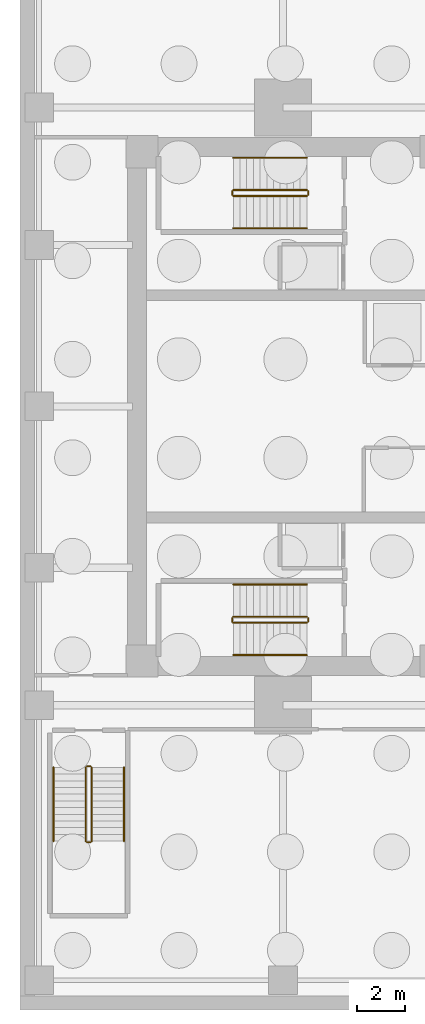
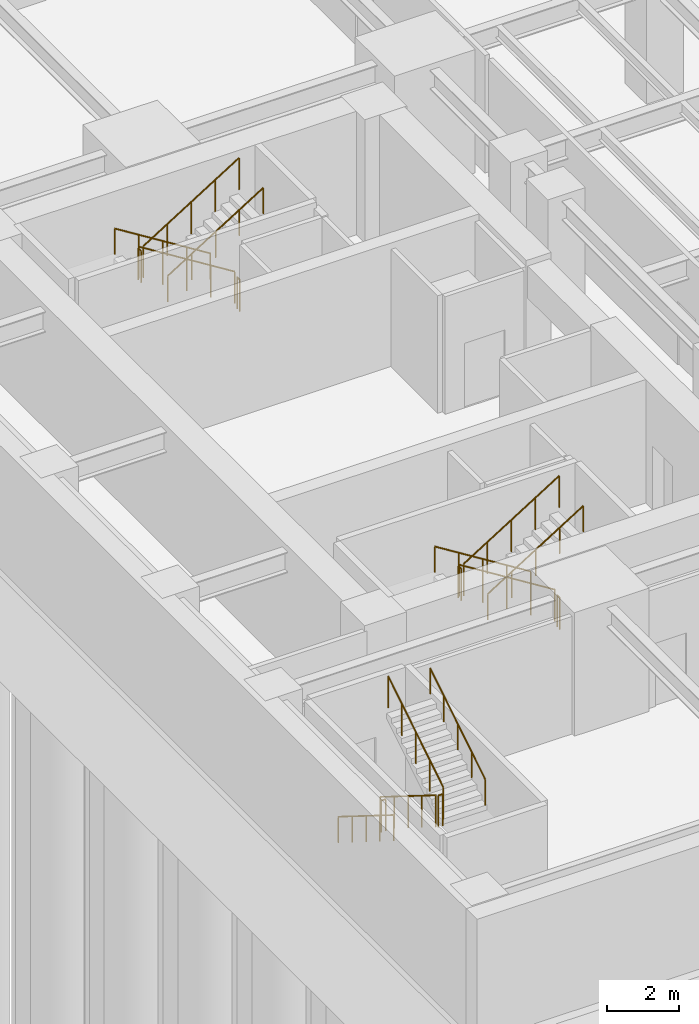
# One storey, part 5 of 6: 18 railings.
"""IFC4 building model written with IfcOpenShell, lengths in metres."""

from ifc_helpers import new_model, si_unit, direction, frame, origin, origin_2d, place, context, subcontext, project, spatial, circle, extrude, material, type_object, element, save


model = new_model("IFC4")

# Units and contexts
model_context = context("Model", 3, precision=1e-05, world=origin(), true_north=direction((0.0, 1.0)))
body_context = subcontext(model_context, "Body", "Model", "MODEL_VIEW")
ifc_project = project(units=[si_unit("LENGTHUNIT", "METRE"), si_unit("AREAUNIT", "SQUARE_METRE"), si_unit("VOLUMEUNIT", "CUBIC_METRE"), si_unit("PLANEANGLEUNIT", "RADIAN"), si_unit("MASSUNIT", "GRAM", prefix="KILO")], contexts=[model_context])

# Site, building, storey
site_placement = place(None, origin())
site = spatial("IfcSite", under=ifc_project, at=site_placement, CompositionType="ELEMENT")
building_placement = place(site_placement, origin())
building = spatial("IfcBuilding", under=site, at=building_placement, Name="Kinhvarn Gate Tower", CompositionType="ELEMENT")
storey_placement = place(building_placement, frame((0.0, 0.0, -13.199951171875)))
storey = spatial("IfcBuildingStorey", under=building, at=storey_placement, Name="B03", CompositionType="ELEMENT", Elevation=-13.199951171875)

# Railings
ifc_material = material(Name="Steel S355", Category="steel")
railing_type_1 = type_object("IfcRailingType", Name="RL-ST-GRD", PredefinedType="BALUSTRADE", material=ifc_material)
railing_1_placement = place(storey_placement, frame((12.0, 16.449951171875, 0.175048828125)))
element("IfcRailing", 1, at=railing_1_placement, inside=storey, type_object=railing_type_1, Name="B03 ST1 stair guard 1", PredefinedType="BALUSTRADE", context=body_context, shape_type="SweptSolid", body=[
    extrude(circle(Radius=0.02392578125, at=origin_2d()), frame((0.0, 0.0, 1.076171875), z_axis=(-0.848028513186, 0.0, 0.529950602248), x_axis=(0.0, -1.0, 0.0)), (0.0, 0.0, 1.0), 3.632080078125),
    extrude(circle(Radius=0.02099609375, at=origin_2d()), origin(), (0.0, 0.0, 1.0), 1.052001953125),
    extrude(circle(Radius=0.02099609375, at=origin_2d()), frame((-0.77001953125, 0.0, 0.481201171875)), (0.0, 0.0, 1.0), 1.052001953125),
    extrude(circle(Radius=0.02099609375, at=origin_2d()), frame((-1.5400390625, 0.0, 0.96240234375)), (0.0, 0.0, 1.0), 1.052001953125),
    extrude(circle(Radius=0.02099609375, at=origin_2d()), frame((-2.31005859375, 0.0, 1.443603515625)), (0.0, 0.0, 1.0), 1.052001953125),
    extrude(circle(Radius=0.02099609375, at=origin_2d()), frame((-3.080078125, 0.0, 1.9248046875)), (0.0, 0.0, 1.0), 1.052001953125),
])
railing_2_placement = place(storey_placement, frame((8.8701171875, 16.39990234375, 2.099853515625)))
element("IfcRailing", 2, at=railing_2_placement, inside=storey, type_object=railing_type_1, Name="B03 ST1 stair guard 2", PredefinedType="BALUSTRADE", context=body_context, shape_type="SweptSolid", body=[
    extrude(circle(Radius=0.02392578125, at=origin_2d()), frame((0.0, 0.0, 1.076171875), z_axis=(0.0, -1.0, 0.0), x_axis=(1.0, 0.0, 0.0)), (0.0, 0.0, 1.0), 0.14990234375),
    extrude(circle(Radius=0.02099609375, at=origin_2d()), origin(), (0.0, 0.0, 1.0), 1.052001953125),
    extrude(circle(Radius=0.02099609375, at=origin_2d()), frame((0.0, -0.14990234375, 0.0)), (0.0, 0.0, 1.0), 1.052001953125),
])
railing_3_placement = place(storey_placement, frame((8.919921875, 16.199951171875, 2.27490234375)))
element("IfcRailing", 3, at=railing_3_placement, inside=storey, type_object=railing_type_1, Name="B03 ST1 stair guard 3", PredefinedType="BALUSTRADE", context=body_context, shape_type="SweptSolid", body=[
    extrude(circle(Radius=0.02392578125, at=origin_2d()), frame((0.0, 0.0, 1.076171875), z_axis=(0.847998304005, 0.0, 0.529998940003), x_axis=(0.0, 1.0, 0.0)), (0.0, 0.0, 1.0), 3.632080078125),
    extrude(circle(Radius=0.02099609375, at=origin_2d()), origin(), (0.0, 0.0, 1.0), 1.052001953125),
    extrude(circle(Radius=0.02099609375, at=origin_2d()), frame((0.77001953125, 0.0, 0.481201171875)), (0.0, 0.0, 1.0), 1.052001953125),
    extrude(circle(Radius=0.02099609375, at=origin_2d()), frame((1.5400390625, 0.0, 0.96240234375)), (0.0, 0.0, 1.0), 1.052001953125),
    extrude(circle(Radius=0.02099609375, at=origin_2d()), frame((2.31005859375, 0.0, 1.44384765625)), (0.0, 0.0, 1.0), 1.052001953125),
    extrude(circle(Radius=0.02099609375, at=origin_2d()), frame((3.080078125, 0.0, 1.925048828125)), (0.0, 0.0, 1.0), 1.052001953125),
])
railing_4_placement = place(storey_placement, frame((12.050048828125, 16.39990234375, 0.0)))
element("IfcRailing", 4, at=railing_4_placement, inside=storey, type_object=railing_type_1, Name="B03 ST1 stair guard 4", PredefinedType="BALUSTRADE", context=body_context, shape_type="SweptSolid", body=[
    extrude(circle(Radius=0.02392578125, at=origin_2d()), frame((0.0, 0.0, 1.076171875), z_axis=(0.0, -1.0, 0.0), x_axis=(1.0, 0.0, 0.0)), (0.0, 0.0, 1.0), 0.14990234375),
    extrude(circle(Radius=0.02099609375, at=origin_2d()), origin(), (0.0, 0.0, 1.0), 1.052001953125),
    extrude(circle(Radius=0.02099609375, at=origin_2d()), frame((0.0, -0.14990234375, 0.0)), (0.0, 0.0, 1.0), 1.052001953125),
])
railing_5_placement = place(storey_placement, frame((12.0, 34.300048828125, 0.175048828125)))
element("IfcRailing", 5, at=railing_5_placement, inside=storey, type_object=railing_type_1, Name="B03 ST2 stair guard 1", PredefinedType="BALUSTRADE", context=body_context, shape_type="SweptSolid", body=[
    extrude(circle(Radius=0.02392578125, at=origin_2d()), frame((0.0, 0.0, 1.076171875), z_axis=(-0.848028513186, 0.0, 0.529950602248), x_axis=(0.0, -1.0, 0.0)), (0.0, 0.0, 1.0), 3.632080078125),
    extrude(circle(Radius=0.02099609375, at=origin_2d()), origin(), (0.0, 0.0, 1.0), 1.052001953125),
    extrude(circle(Radius=0.02099609375, at=origin_2d()), frame((-0.77001953125, 0.0, 0.481201171875)), (0.0, 0.0, 1.0), 1.052001953125),
    extrude(circle(Radius=0.02099609375, at=origin_2d()), frame((-1.5400390625, 0.0, 0.96240234375)), (0.0, 0.0, 1.0), 1.052001953125),
    extrude(circle(Radius=0.02099609375, at=origin_2d()), frame((-2.31005859375, 0.0, 1.443603515625)), (0.0, 0.0, 1.0), 1.052001953125),
    extrude(circle(Radius=0.02099609375, at=origin_2d()), frame((-3.080078125, 0.0, 1.9248046875)), (0.0, 0.0, 1.0), 1.052001953125),
])
railing_6_placement = place(storey_placement, frame((8.8701171875, 34.25, 2.099853515625)))
element("IfcRailing", 6, at=railing_6_placement, inside=storey, type_object=railing_type_1, Name="B03 ST2 stair guard 2", PredefinedType="BALUSTRADE", context=body_context, shape_type="SweptSolid", body=[
    extrude(circle(Radius=0.02392578125, at=origin_2d()), frame((0.0, 0.0, 1.076171875), z_axis=(0.0, -1.0, 0.0), x_axis=(1.0, 0.0, 0.0)), (0.0, 0.0, 1.0), 0.14990234375),
    extrude(circle(Radius=0.02099609375, at=origin_2d()), origin(), (0.0, 0.0, 1.0), 1.052001953125),
    extrude(circle(Radius=0.02099609375, at=origin_2d()), frame((0.0, -0.14990234375, 0.0)), (0.0, 0.0, 1.0), 1.052001953125),
])
railing_7_placement = place(storey_placement, frame((8.919921875, 34.050048828125, 2.27490234375)))
element("IfcRailing", 7, at=railing_7_placement, inside=storey, type_object=railing_type_1, Name="B03 ST2 stair guard 3", PredefinedType="BALUSTRADE", context=body_context, shape_type="SweptSolid", body=[
    extrude(circle(Radius=0.02392578125, at=origin_2d()), frame((0.0, 0.0, 1.076171875), z_axis=(0.847998304005, 0.0, 0.529998940003), x_axis=(0.0, 1.0, 0.0)), (0.0, 0.0, 1.0), 3.632080078125),
    extrude(circle(Radius=0.02099609375, at=origin_2d()), origin(), (0.0, 0.0, 1.0), 1.052001953125),
    extrude(circle(Radius=0.02099609375, at=origin_2d()), frame((0.77001953125, 0.0, 0.481201171875)), (0.0, 0.0, 1.0), 1.052001953125),
    extrude(circle(Radius=0.02099609375, at=origin_2d()), frame((1.5400390625, 0.0, 0.96240234375)), (0.0, 0.0, 1.0), 1.052001953125),
    extrude(circle(Radius=0.02099609375, at=origin_2d()), frame((2.31005859375, 0.0, 1.44384765625)), (0.0, 0.0, 1.0), 1.052001953125),
    extrude(circle(Radius=0.02099609375, at=origin_2d()), frame((3.080078125, 0.0, 1.925048828125)), (0.0, 0.0, 1.0), 1.052001953125),
])
railing_8_placement = place(storey_placement, frame((12.050048828125, 34.25, 0.0)))
element("IfcRailing", 8, at=railing_8_placement, inside=storey, type_object=railing_type_1, Name="B03 ST2 stair guard 4", PredefinedType="BALUSTRADE", context=body_context, shape_type="SweptSolid", body=[
    extrude(circle(Radius=0.02392578125, at=origin_2d()), frame((0.0, 0.0, 1.076171875), z_axis=(0.0, -1.0, 0.0), x_axis=(1.0, 0.0, 0.0)), (0.0, 0.0, 1.0), 0.14990234375),
    extrude(circle(Radius=0.02099609375, at=origin_2d()), origin(), (0.0, 0.0, 1.0), 1.052001953125),
    extrude(circle(Radius=0.02099609375, at=origin_2d()), frame((0.0, -0.14990234375, 0.0)), (0.0, 0.0, 1.0), 1.052001953125),
])
railing_9_placement = place(storey_placement, frame((2.75, 10.14990234375, 0.175048828125)))
element("IfcRailing", 9, at=railing_9_placement, inside=storey, type_object=railing_type_1, Name="B03 ST3 stair guard 1", PredefinedType="BALUSTRADE", context=body_context, shape_type="SweptSolid", body=[
    extrude(circle(Radius=0.02392578125, at=origin_2d()), frame((0.0, 0.0, 1.076171875), z_axis=(0.0, -0.848009633417, 0.529980812513), x_axis=(1.0, 0.0, 0.0)), (0.0, 0.0, 1.0), 3.6318359375),
    extrude(circle(Radius=0.02099609375, at=origin_2d()), origin(), (0.0, 0.0, 1.0), 1.052001953125),
    extrude(circle(Radius=0.02099609375, at=origin_2d()), frame((0.0, -0.77001953125, 0.481201171875)), (0.0, 0.0, 1.0), 1.052001953125),
    extrude(circle(Radius=0.02099609375, at=origin_2d()), frame((0.0, -1.5400390625, 0.96240234375)), (0.0, 0.0, 1.0), 1.052001953125),
    extrude(circle(Radius=0.02099609375, at=origin_2d()), frame((0.0, -2.309814453125, 1.443603515625)), (0.0, 0.0, 1.0), 1.052001953125),
    extrude(circle(Radius=0.02099609375, at=origin_2d()), frame((0.0, -3.079833984375, 1.9248046875)), (0.0, 0.0, 1.0), 1.052001953125),
])
railing_10_placement = place(storey_placement, frame((2.800048828125, 7.02001953125, 2.099853515625)))
element("IfcRailing", 10, at=railing_10_placement, inside=storey, type_object=railing_type_1, Name="B03 ST3 stair guard 2", PredefinedType="BALUSTRADE", context=body_context, shape_type="SweptSolid", body=[
    extrude(circle(Radius=0.02392578125, at=origin_2d()), frame((0.0, 0.0, 1.076171875), z_axis=(1.0, 0.0, 0.0), x_axis=(0.0, 1.0, 0.0)), (0.0, 0.0, 1.0), 0.14990234375),
    extrude(circle(Radius=0.02099609375, at=origin_2d()), origin(), (0.0, 0.0, 1.0), 1.052001953125),
    extrude(circle(Radius=0.02099609375, at=origin_2d()), frame((0.14990234375, 0.0, 0.0)), (0.0, 0.0, 1.0), 1.052001953125),
])
railing_11_placement = place(storey_placement, frame((3.0, 7.070068359375, 2.27490234375)))
element("IfcRailing", 11, at=railing_11_placement, inside=storey, type_object=railing_type_1, Name="B03 ST3 stair guard 3", PredefinedType="BALUSTRADE", context=body_context, shape_type="SweptSolid", body=[
    extrude(circle(Radius=0.02392578125, at=origin_2d()), frame((0.0, 0.0, 1.076171875), z_axis=(0.0, 0.847979421464, 0.530029150871), x_axis=(-1.0, 0.0, 0.0)), (0.0, 0.0, 1.0), 3.632080078125),
    extrude(circle(Radius=0.02099609375, at=origin_2d()), origin(), (0.0, 0.0, 1.0), 1.052001953125),
    extrude(circle(Radius=0.02099609375, at=origin_2d()), frame((0.0, 0.77001953125, 0.481201171875)), (0.0, 0.0, 1.0), 1.052001953125),
    extrude(circle(Radius=0.02099609375, at=origin_2d()), frame((0.0, 1.5400390625, 0.96240234375)), (0.0, 0.0, 1.0), 1.052001953125),
    extrude(circle(Radius=0.02099609375, at=origin_2d()), frame((0.0, 2.309814453125, 1.44384765625)), (0.0, 0.0, 1.0), 1.052001953125),
    extrude(circle(Radius=0.02099609375, at=origin_2d()), frame((0.0, 3.079833984375, 1.925048828125)), (0.0, 0.0, 1.0), 1.052001953125),
])
railing_12_placement = place(storey_placement, frame((2.800048828125, 10.199951171875, 0.0)))
element("IfcRailing", 12, at=railing_12_placement, inside=storey, type_object=railing_type_1, Name="B03 ST3 stair guard 4", PredefinedType="BALUSTRADE", context=body_context, shape_type="SweptSolid", body=[
    extrude(circle(Radius=0.02392578125, at=origin_2d()), frame((0.0, 0.0, 1.076171875), z_axis=(1.0, 0.0, 0.0), x_axis=(0.0, 1.0, 0.0)), (0.0, 0.0, 1.0), 0.14990234375),
    extrude(circle(Radius=0.02099609375, at=origin_2d()), origin(), (0.0, 0.0, 1.0), 1.052001953125),
    extrude(circle(Radius=0.02099609375, at=origin_2d()), frame((0.14990234375, 0.0, 0.0)), (0.0, 0.0, 1.0), 1.052001953125),
])
railing_type_2 = type_object("IfcRailingType", Name="RL-ST-HND", PredefinedType="HANDRAIL", material=ifc_material)
railing_13_placement = place(storey_placement, frame((12.0, 17.800048828125, 0.175048828125)))
element("IfcRailing", 13, at=railing_13_placement, inside=storey, type_object=railing_type_2, Name="B03 ST1 stair handrail 1", PredefinedType="HANDRAIL", context=body_context, shape_type="SweptSolid", body=[
    extrude(circle(Radius=0.02392578125, at=origin_2d()), frame((0.0, 0.0, 0.8759765625), z_axis=(-0.848028513186, 0.0, 0.529950602248), x_axis=(0.0, -1.0, 0.0)), (0.0, 0.0, 1.0), 3.632080078125),
    extrude(circle(Radius=0.02099609375, at=origin_2d()), origin(), (0.0, 0.0, 1.0), 0.851806640625),
    extrude(circle(Radius=0.02099609375, at=origin_2d()), frame((-0.77001953125, 0.0, 0.481201171875)), (0.0, 0.0, 1.0), 0.851806640625),
    extrude(circle(Radius=0.02099609375, at=origin_2d()), frame((-1.5400390625, 0.0, 0.96240234375)), (0.0, 0.0, 1.0), 0.851806640625),
    extrude(circle(Radius=0.02099609375, at=origin_2d()), frame((-2.31005859375, 0.0, 1.443603515625)), (0.0, 0.0, 1.0), 0.851806640625),
    extrude(circle(Radius=0.02099609375, at=origin_2d()), frame((-3.080078125, 0.0, 1.9248046875)), (0.0, 0.0, 1.0), 0.851806640625),
])
railing_14_placement = place(storey_placement, frame((8.919921875, 14.85009765625, 2.27490234375)))
element("IfcRailing", 14, at=railing_14_placement, inside=storey, type_object=railing_type_2, Name="B03 ST1 stair handrail 2", PredefinedType="HANDRAIL", context=body_context, shape_type="SweptSolid", body=[
    extrude(circle(Radius=0.02392578125, at=origin_2d()), frame((0.0, 0.0, 0.8759765625), z_axis=(0.847998304005, 0.0, 0.529998940003), x_axis=(0.0, 1.0, 0.0)), (0.0, 0.0, 1.0), 3.632080078125),
    extrude(circle(Radius=0.02099609375, at=origin_2d()), origin(), (0.0, 0.0, 1.0), 0.851806640625),
    extrude(circle(Radius=0.02099609375, at=origin_2d()), frame((0.77001953125, 0.0, 0.481201171875)), (0.0, 0.0, 1.0), 0.851806640625),
    extrude(circle(Radius=0.02099609375, at=origin_2d()), frame((1.5400390625, 0.0, 0.96240234375)), (0.0, 0.0, 1.0), 0.851806640625),
    extrude(circle(Radius=0.02099609375, at=origin_2d()), frame((2.31005859375, 0.0, 1.44384765625)), (0.0, 0.0, 1.0), 0.851806640625),
    extrude(circle(Radius=0.02099609375, at=origin_2d()), frame((3.080078125, 0.0, 1.925048828125)), (0.0, 0.0, 1.0), 0.851806640625),
])
railing_15_placement = place(storey_placement, frame((12.0, 35.64990234375, 0.175048828125)))
element("IfcRailing", 15, at=railing_15_placement, inside=storey, type_object=railing_type_2, Name="B03 ST2 stair handrail 1", PredefinedType="HANDRAIL", context=body_context, shape_type="SweptSolid", body=[
    extrude(circle(Radius=0.02392578125, at=origin_2d()), frame((0.0, 0.0, 0.8759765625), z_axis=(-0.848028513186, 0.0, 0.529950602248), x_axis=(0.0, -1.0, 0.0)), (0.0, 0.0, 1.0), 3.632080078125),
    extrude(circle(Radius=0.02099609375, at=origin_2d()), origin(), (0.0, 0.0, 1.0), 0.851806640625),
    extrude(circle(Radius=0.02099609375, at=origin_2d()), frame((-0.77001953125, 0.0, 0.481201171875)), (0.0, 0.0, 1.0), 0.851806640625),
    extrude(circle(Radius=0.02099609375, at=origin_2d()), frame((-1.5400390625, 0.0, 0.96240234375)), (0.0, 0.0, 1.0), 0.851806640625),
    extrude(circle(Radius=0.02099609375, at=origin_2d()), frame((-2.31005859375, 0.0, 1.443603515625)), (0.0, 0.0, 1.0), 0.851806640625),
    extrude(circle(Radius=0.02099609375, at=origin_2d()), frame((-3.080078125, 0.0, 1.9248046875)), (0.0, 0.0, 1.0), 0.851806640625),
])
railing_16_placement = place(storey_placement, frame((8.919921875, 32.699951171875, 2.27490234375)))
element("IfcRailing", 16, at=railing_16_placement, inside=storey, type_object=railing_type_2, Name="B03 ST2 stair handrail 2", PredefinedType="HANDRAIL", context=body_context, shape_type="SweptSolid", body=[
    extrude(circle(Radius=0.02392578125, at=origin_2d()), frame((0.0, 0.0, 0.8759765625), z_axis=(0.847998304005, 0.0, 0.529998940003), x_axis=(0.0, 1.0, 0.0)), (0.0, 0.0, 1.0), 3.632080078125),
    extrude(circle(Radius=0.02099609375, at=origin_2d()), origin(), (0.0, 0.0, 1.0), 0.851806640625),
    extrude(circle(Radius=0.02099609375, at=origin_2d()), frame((0.77001953125, 0.0, 0.481201171875)), (0.0, 0.0, 1.0), 0.851806640625),
    extrude(circle(Radius=0.02099609375, at=origin_2d()), frame((1.5400390625, 0.0, 0.96240234375)), (0.0, 0.0, 1.0), 0.851806640625),
    extrude(circle(Radius=0.02099609375, at=origin_2d()), frame((2.31005859375, 0.0, 1.44384765625)), (0.0, 0.0, 1.0), 0.851806640625),
    extrude(circle(Radius=0.02099609375, at=origin_2d()), frame((3.080078125, 0.0, 1.925048828125)), (0.0, 0.0, 1.0), 0.851806640625),
])
railing_17_placement = place(storey_placement, frame((1.39990234375, 10.14990234375, 0.175048828125)))
element("IfcRailing", 17, at=railing_17_placement, inside=storey, type_object=railing_type_2, Name="B03 ST3 stair handrail 1", PredefinedType="HANDRAIL", context=body_context, shape_type="SweptSolid", body=[
    extrude(circle(Radius=0.02392578125, at=origin_2d()), frame((0.0, 0.0, 0.8759765625), z_axis=(0.0, -0.848009633417, 0.529980812513), x_axis=(1.0, 0.0, 0.0)), (0.0, 0.0, 1.0), 3.6318359375),
    extrude(circle(Radius=0.02099609375, at=origin_2d()), origin(), (0.0, 0.0, 1.0), 0.851806640625),
    extrude(circle(Radius=0.02099609375, at=origin_2d()), frame((0.0, -0.77001953125, 0.481201171875)), (0.0, 0.0, 1.0), 0.851806640625),
    extrude(circle(Radius=0.02099609375, at=origin_2d()), frame((0.0, -1.5400390625, 0.96240234375)), (0.0, 0.0, 1.0), 0.851806640625),
    extrude(circle(Radius=0.02099609375, at=origin_2d()), frame((0.0, -2.309814453125, 1.443603515625)), (0.0, 0.0, 1.0), 0.851806640625),
    extrude(circle(Radius=0.02099609375, at=origin_2d()), frame((0.0, -3.079833984375, 1.9248046875)), (0.0, 0.0, 1.0), 0.851806640625),
])
railing_18_placement = place(storey_placement, frame((4.35009765625, 7.070068359375, 2.27490234375)))
element("IfcRailing", 18, at=railing_18_placement, inside=storey, type_object=railing_type_2, Name="B03 ST3 stair handrail 2", PredefinedType="HANDRAIL", context=body_context, shape_type="SweptSolid", body=[
    extrude(circle(Radius=0.02392578125, at=origin_2d()), frame((0.0, 0.0, 0.8759765625), z_axis=(0.0, 0.847979421464, 0.530029150871), x_axis=(-1.0, 0.0, 0.0)), (0.0, 0.0, 1.0), 3.632080078125),
    extrude(circle(Radius=0.02099609375, at=origin_2d()), origin(), (0.0, 0.0, 1.0), 0.851806640625),
    extrude(circle(Radius=0.02099609375, at=origin_2d()), frame((0.0, 0.77001953125, 0.481201171875)), (0.0, 0.0, 1.0), 0.851806640625),
    extrude(circle(Radius=0.02099609375, at=origin_2d()), frame((0.0, 1.5400390625, 0.96240234375)), (0.0, 0.0, 1.0), 0.851806640625),
    extrude(circle(Radius=0.02099609375, at=origin_2d()), frame((0.0, 2.309814453125, 1.44384765625)), (0.0, 0.0, 1.0), 0.851806640625),
    extrude(circle(Radius=0.02099609375, at=origin_2d()), frame((0.0, 3.079833984375, 1.925048828125)), (0.0, 0.0, 1.0), 0.851806640625),
])

save(model, "model.ifc")
